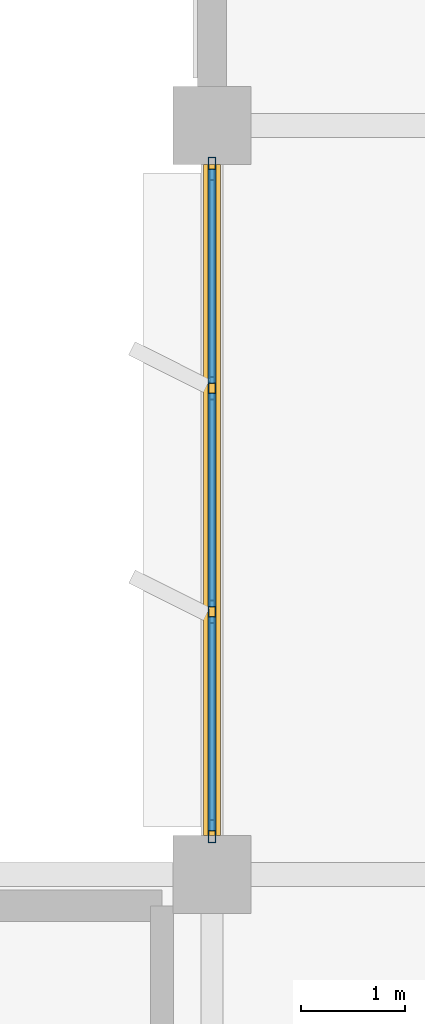
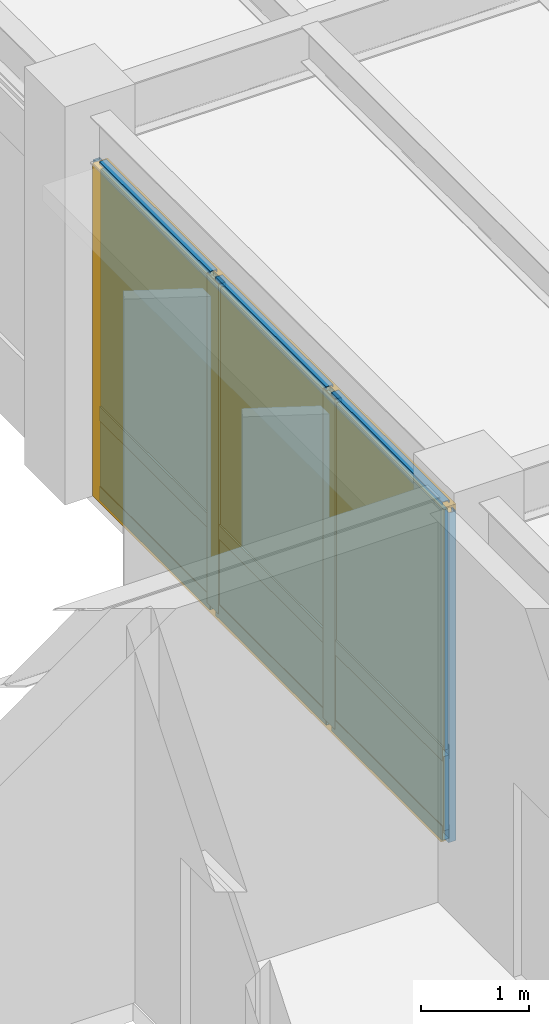
# One storey, part 63 of 92: 13 members, 6 plates, 1 curtain wall.
"""IFC4 building model written with IfcOpenShell, lengths in metres."""

from ifc_helpers import new_model, si_unit, direction, frame, origin, origin_2d, place, context, subcontext, project, spatial, rectangle, hollow_rectangle, extrude, material, layer, layer_set, material_profile, profile_set, type_object, element, aggregate, save


model = new_model("IFC4")

# Units and contexts
model_context = context("Model", 3, precision=1e-05, world=origin(), true_north=direction((0.0, 1.0)))
body_context = subcontext(model_context, "Body", "Model", "MODEL_VIEW")
ifc_project = project(units=[si_unit("LENGTHUNIT", "METRE"), si_unit("AREAUNIT", "SQUARE_METRE"), si_unit("VOLUMEUNIT", "CUBIC_METRE"), si_unit("PLANEANGLEUNIT", "RADIAN"), si_unit("MASSUNIT", "GRAM", prefix="KILO")], contexts=[model_context])

# Member
ifc_material_1 = material(Name="Anodized Aluminium 6063-T6", Category="aluminium")
ifc_material_profile_1 = material_profile(ifc_material_1, hollow_rectangle(XDim=0.074951171875, YDim=0.219970703125, WallThickness=0.0048828125, at=origin_2d()), Name="ALU 75x220x5")
ifc_profile_set_1 = profile_set([ifc_material_profile_1], Name="Anodized Aluminium 6063-T6")
member_type_1 = type_object("IfcMemberType", Name="CWM-75X180", PredefinedType="MULLION", material=ifc_profile_set_1)
site_placement = place(None, origin())
building_placement = place(site_placement, origin())
storey_placement = place(building_placement, frame((0.0, 0.0, 5.39990234375)))
member_1_placement = place(storey_placement, frame((93.60009765625, 94.014892578125, 0.02001953125), z_axis=(0.0, 0.0, 1.0), x_axis=(1.0, 0.0, 0.0)))
member_1 = element("IfcMember", 1, at=member_1_placement, type_object=member_type_1, Name="Curtain wall mullion CW-L02-13-13-W-00", PredefinedType="MULLION", context=body_context, shape_type="SweptSolid", body=[
    extrude(hollow_rectangle(XDim=0.074951171875, YDim=0.219970703125, WallThickness=0.0048828125, at=origin_2d()), origin(), (0.0, 0.0, 1.0), 3.72705078125),
])

member_2_placement = place(storey_placement, frame((93.60009765625, 96.125, 0.02001953125), z_axis=(0.0, 0.0, 1.0), x_axis=(1.0, 0.0, 0.0)))
member_2 = element("IfcMember", 2, at=member_2_placement, type_object=member_type_1, Name="Curtain wall mullion CW-L02-13-13-W-01", PredefinedType="MULLION", context=body_context, shape_type="SweptSolid", body=[
    extrude(hollow_rectangle(XDim=0.074951171875, YDim=0.219970703125, WallThickness=0.0048828125, at=origin_2d()), origin(), (0.0, 0.0, 1.0), 3.72705078125),
])

member_3_placement = place(storey_placement, frame((93.60009765625, 98.27490234375, 0.02001953125), z_axis=(0.0, 0.0, 1.0), x_axis=(1.0, 0.0, 0.0)))
member_3 = element("IfcMember", 3, at=member_3_placement, type_object=member_type_1, Name="Curtain wall mullion CW-L02-13-13-W-02", PredefinedType="MULLION", context=body_context, shape_type="SweptSolid", body=[
    extrude(hollow_rectangle(XDim=0.074951171875, YDim=0.219970703125, WallThickness=0.0048828125, at=origin_2d()), origin(), (0.0, 0.0, 1.0), 3.72705078125),
])

member_4_placement = place(storey_placement, frame((93.60009765625, 100.385009765625, 0.02001953125), z_axis=(0.0, 0.0, 1.0), x_axis=(1.0, 0.0, 0.0)))
member_4 = element("IfcMember", 4, at=member_4_placement, type_object=member_type_1, Name="Curtain wall mullion CW-L02-13-13-W-03", PredefinedType="MULLION", context=body_context, shape_type="SweptSolid", body=[
    extrude(hollow_rectangle(XDim=0.074951171875, YDim=0.219970703125, WallThickness=0.0048828125, at=origin_2d()), origin(), (0.0, 0.0, 1.0), 3.72705078125),
])

ifc_material_profile_2 = material_profile(ifc_material_1, hollow_rectangle(XDim=0.074951171875, YDim=0.159912109375, WallThickness=0.00390625, at=origin_2d()), Name="ALU 75x160x4")
ifc_profile_set_2 = profile_set([ifc_material_profile_2], Name="Anodized Aluminium 6063-T6")
member_type_2 = type_object("IfcMemberType", Name="CWT-75X150", PredefinedType="USERDEFINED", material=ifc_profile_set_2)
member_5_placement = place(storey_placement, frame((93.60009765625, 94.02490234375, 0.050048828125), z_axis=(0.0, 1.0, 0.0), x_axis=(-1.0, 0.0, 0.0)))
member_5 = element("IfcMember", 5, at=member_5_placement, type_object=member_type_2, Name="Curtain wall transom CW-L02-13-13-W-1.01", ObjectType="TRANSOM", PredefinedType="USERDEFINED", context=body_context, shape_type="SweptSolid", body=[
    extrude(hollow_rectangle(XDim=0.074951171875, YDim=0.159912109375, WallThickness=0.00390625, at=origin_2d()), origin(), (0.0, 0.0, 1.0), 2.050048828125),
])

member_6_placement = place(storey_placement, frame((93.60009765625, 96.175048828125, 0.050048828125), z_axis=(0.0, 1.0, 0.0), x_axis=(-1.0, 0.0, 0.0)))
member_6 = element("IfcMember", 6, at=member_6_placement, type_object=member_type_2, Name="Curtain wall transom CW-L02-13-13-W-1.02", ObjectType="TRANSOM", PredefinedType="USERDEFINED", context=body_context, shape_type="SweptSolid", body=[
    extrude(hollow_rectangle(XDim=0.074951171875, YDim=0.159912109375, WallThickness=0.00390625, at=origin_2d()), origin(), (0.0, 0.0, 1.0), 2.050048828125),
])

member_7_placement = place(storey_placement, frame((93.60009765625, 98.324951171875, 0.050048828125), z_axis=(0.0, 1.0, 0.0), x_axis=(-1.0, 0.0, 0.0)))
member_7 = element("IfcMember", 7, at=member_7_placement, type_object=member_type_2, Name="Curtain wall transom CW-L02-13-13-W-1.03", ObjectType="TRANSOM", PredefinedType="USERDEFINED", context=body_context, shape_type="SweptSolid", body=[
    extrude(hollow_rectangle(XDim=0.074951171875, YDim=0.159912109375, WallThickness=0.00390625, at=origin_2d()), origin(), (0.0, 0.0, 1.0), 2.050048828125),
])

member_8_placement = place(storey_placement, frame((93.60009765625, 94.02490234375, 0.9501953125), z_axis=(0.0, 1.0, 0.0), x_axis=(-1.0, 0.0, 0.0)))
member_8 = element("IfcMember", 8, at=member_8_placement, type_object=member_type_2, Name="Curtain wall transom CW-L02-13-13-W-2.01", ObjectType="TRANSOM", PredefinedType="USERDEFINED", context=body_context, shape_type="SweptSolid", body=[
    extrude(hollow_rectangle(XDim=0.074951171875, YDim=0.159912109375, WallThickness=0.00390625, at=origin_2d()), origin(), (0.0, 0.0, 1.0), 2.050048828125),
])

member_9_placement = place(storey_placement, frame((93.60009765625, 96.175048828125, 0.9501953125), z_axis=(0.0, 1.0, 0.0), x_axis=(-1.0, 0.0, 0.0)))
member_9 = element("IfcMember", 9, at=member_9_placement, type_object=member_type_2, Name="Curtain wall transom CW-L02-13-13-W-2.02", ObjectType="TRANSOM", PredefinedType="USERDEFINED", context=body_context, shape_type="SweptSolid", body=[
    extrude(hollow_rectangle(XDim=0.074951171875, YDim=0.159912109375, WallThickness=0.00390625, at=origin_2d()), origin(), (0.0, 0.0, 1.0), 2.050048828125),
])

member_10_placement = place(storey_placement, frame((93.60009765625, 98.324951171875, 0.9501953125), z_axis=(0.0, 1.0, 0.0), x_axis=(-1.0, 0.0, 0.0)))
member_10 = element("IfcMember", 10, at=member_10_placement, type_object=member_type_2, Name="Curtain wall transom CW-L02-13-13-W-2.03", ObjectType="TRANSOM", PredefinedType="USERDEFINED", context=body_context, shape_type="SweptSolid", body=[
    extrude(hollow_rectangle(XDim=0.074951171875, YDim=0.159912109375, WallThickness=0.00390625, at=origin_2d()), origin(), (0.0, 0.0, 1.0), 2.050048828125),
])

member_11_placement = place(storey_placement, frame((93.60009765625, 94.02490234375, 3.717041015625), z_axis=(0.0, 1.0, 0.0), x_axis=(-1.0, 0.0, 0.0)))
member_11 = element("IfcMember", 11, at=member_11_placement, type_object=member_type_2, Name="Curtain wall transom CW-L02-13-13-W-3.01", ObjectType="TRANSOM", PredefinedType="USERDEFINED", context=body_context, shape_type="SweptSolid", body=[
    extrude(hollow_rectangle(XDim=0.074951171875, YDim=0.159912109375, WallThickness=0.00390625, at=origin_2d()), origin(), (0.0, 0.0, 1.0), 2.050048828125),
])

member_12_placement = place(storey_placement, frame((93.60009765625, 96.175048828125, 3.717041015625), z_axis=(0.0, 1.0, 0.0), x_axis=(-1.0, 0.0, 0.0)))
member_12 = element("IfcMember", 12, at=member_12_placement, type_object=member_type_2, Name="Curtain wall transom CW-L02-13-13-W-3.02", ObjectType="TRANSOM", PredefinedType="USERDEFINED", context=body_context, shape_type="SweptSolid", body=[
    extrude(hollow_rectangle(XDim=0.074951171875, YDim=0.159912109375, WallThickness=0.00390625, at=origin_2d()), origin(), (0.0, 0.0, 1.0), 2.050048828125),
])

member_13_placement = place(storey_placement, frame((93.60009765625, 98.324951171875, 3.717041015625), z_axis=(0.0, 1.0, 0.0), x_axis=(-1.0, 0.0, 0.0)))
member_13 = element("IfcMember", 13, at=member_13_placement, type_object=member_type_2, Name="Curtain wall transom CW-L02-13-13-W-3.03", ObjectType="TRANSOM", PredefinedType="USERDEFINED", context=body_context, shape_type="SweptSolid", body=[
    extrude(hollow_rectangle(XDim=0.074951171875, YDim=0.159912109375, WallThickness=0.00390625, at=origin_2d()), origin(), (0.0, 0.0, 1.0), 2.050048828125),
])

# Plate
ifc_material_2 = material(Name="Acoustic Laminated Low-E Glazing", Category="glass")
ifc_layer_1 = layer(ifc_material_2, 0.0439453125)
ifc_layer_set_1 = layer_set([ifc_layer_1], Name="Acoustic Laminated Low-E Glazing")
plate_type_1 = type_object("IfcPlateType", Name="CWP-IGU-44", PredefinedType="CURTAIN_PANEL", material=ifc_layer_set_1)
plate_1_placement = place(storey_placement, frame((93.60009765625, 95.050048828125, 0.990234375), z_axis=(0.0, 0.0, 1.0), x_axis=(0.0, 1.0, 0.0)))
plate_1 = element("IfcPlate", 14, at=plate_1_placement, type_object=plate_type_1, Name="Curtain wall vision glazing CW-L02-13-13-W-01", PredefinedType="CURTAIN_PANEL", context=body_context, shape_type="SweptSolid", body=[
    extrude(rectangle(XDim=2.06005859375, YDim=0.0400390625, at=origin_2d()), origin(), (0.0, 0.0, 1.0), 2.717041015625),
])

plate_2_placement = place(storey_placement, frame((93.60009765625, 97.199951171875, 0.990234375), z_axis=(0.0, 0.0, 1.0), x_axis=(0.0, 1.0, 0.0)))
plate_2 = element("IfcPlate", 15, at=plate_2_placement, type_object=plate_type_1, Name="Curtain wall vision glazing CW-L02-13-13-W-02", PredefinedType="CURTAIN_PANEL", context=body_context, shape_type="SweptSolid", body=[
    extrude(rectangle(XDim=2.06005859375, YDim=0.0400390625, at=origin_2d()), origin(), (0.0, 0.0, 1.0), 2.717041015625),
])

plate_3_placement = place(storey_placement, frame((93.60009765625, 99.35009765625, 0.990234375), z_axis=(0.0, 0.0, 1.0), x_axis=(0.0, 1.0, 0.0)))
plate_3 = element("IfcPlate", 16, at=plate_3_placement, type_object=plate_type_1, Name="Curtain wall vision glazing CW-L02-13-13-W-03", PredefinedType="CURTAIN_PANEL", context=body_context, shape_type="SweptSolid", body=[
    extrude(rectangle(XDim=2.06005859375, YDim=0.0400390625, at=origin_2d()), origin(), (0.0, 0.0, 1.0), 2.717041015625),
])

ifc_material_3 = material(Name="Insulated Stone-Composite Spandrel", Category="masonry")
ifc_layer_2 = layer(ifc_material_3, 0.068115234375)
ifc_layer_set_2 = layer_set([ifc_layer_2], Name="Insulated Stone-Composite Spandrel")
plate_type_2 = type_object("IfcPlateType", Name="CWP-SPN-68", PredefinedType="CURTAIN_PANEL", material=ifc_layer_set_2)
plate_4_placement = place(storey_placement, frame((93.60009765625, 95.050048828125, 0.080078125), z_axis=(0.0, 0.0, 1.0), x_axis=(0.0, 1.0, 0.0)))
plate_4 = element("IfcPlate", 17, at=plate_4_placement, type_object=plate_type_2, Name="Curtain wall spandrel panel CW-L02-13-13-W-01", PredefinedType="CURTAIN_PANEL", context=body_context, shape_type="SweptSolid", body=[
    extrude(rectangle(XDim=2.06005859375, YDim=0.06005859375, at=origin_2d()), origin(), (0.0, 0.0, 1.0), 0.840087890625),
])

plate_5_placement = place(storey_placement, frame((93.60009765625, 97.199951171875, 0.080078125), z_axis=(0.0, 0.0, 1.0), x_axis=(0.0, 1.0, 0.0)))
plate_5 = element("IfcPlate", 18, at=plate_5_placement, type_object=plate_type_2, Name="Curtain wall spandrel panel CW-L02-13-13-W-02", PredefinedType="CURTAIN_PANEL", context=body_context, shape_type="SweptSolid", body=[
    extrude(rectangle(XDim=2.06005859375, YDim=0.06005859375, at=origin_2d()), origin(), (0.0, 0.0, 1.0), 0.840087890625),
])

plate_6_placement = place(storey_placement, frame((93.60009765625, 99.35009765625, 0.080078125), z_axis=(0.0, 0.0, 1.0), x_axis=(0.0, 1.0, 0.0)))
plate_6 = element("IfcPlate", 19, at=plate_6_placement, type_object=plate_type_2, Name="Curtain wall spandrel panel CW-L02-13-13-W-03", PredefinedType="CURTAIN_PANEL", context=body_context, shape_type="SweptSolid", body=[
    extrude(rectangle(XDim=2.06005859375, YDim=0.06005859375, at=origin_2d()), origin(), (0.0, 0.0, 1.0), 0.840087890625),
])

# Site, building, storey
site = spatial("IfcSite", under=ifc_project, at=site_placement, CompositionType="ELEMENT")
building = spatial("IfcBuilding", under=site, at=building_placement, Name="Sillqori Civic Hall", CompositionType="ELEMENT")
storey = spatial("IfcBuildingStorey", under=building, at=storey_placement, Name="L02", CompositionType="ELEMENT", Elevation=5.39990234375)

# Curtain wall
ifc_material_4 = material(Name="Anodized Aluminium Curtain Wall System", Category="aluminium")
curtain_wall_type = type_object("IfcCurtainWallType", Name="CW-GL-430", PredefinedType="NOTDEFINED", material=ifc_material_4)
curtain_wall_placement = place(storey_placement, frame((93.60009765625, 97.199951171875, 0.0), z_axis=(0.0, 0.0, 1.0), x_axis=(0.0, 1.0, 0.0)))
curtain_wall = element("IfcCurtainWall", 20, at=curtain_wall_placement, inside=storey, type_object=curtain_wall_type, Name="L02 unitised curtain wall CW-L02-13-13-W", PredefinedType="NOTDEFINED", context=body_context, shape_type="SweptSolid", body=[
    extrude(rectangle(XDim=6.449951171875, YDim=0.159912109375, at=origin_2d()), origin(), (0.0, 0.0, 1.0), 3.76708984375),
])

aggregate(curtain_wall, [member_1, member_2, member_3, member_4, member_5, member_6, member_7, member_8, member_9, member_10, member_11, member_12, member_13, plate_4, plate_1, plate_5, plate_2, plate_6, plate_3])

save(model, "model.ifc")
